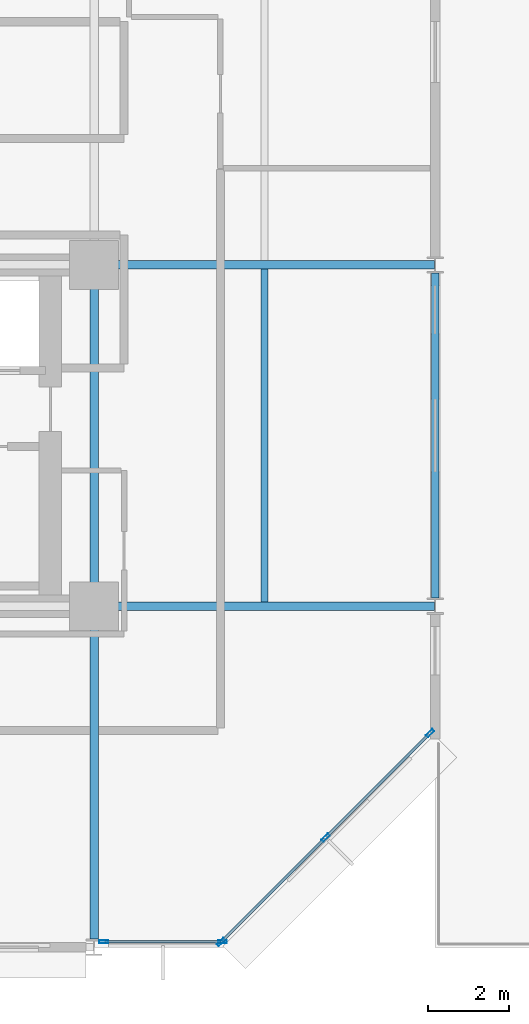
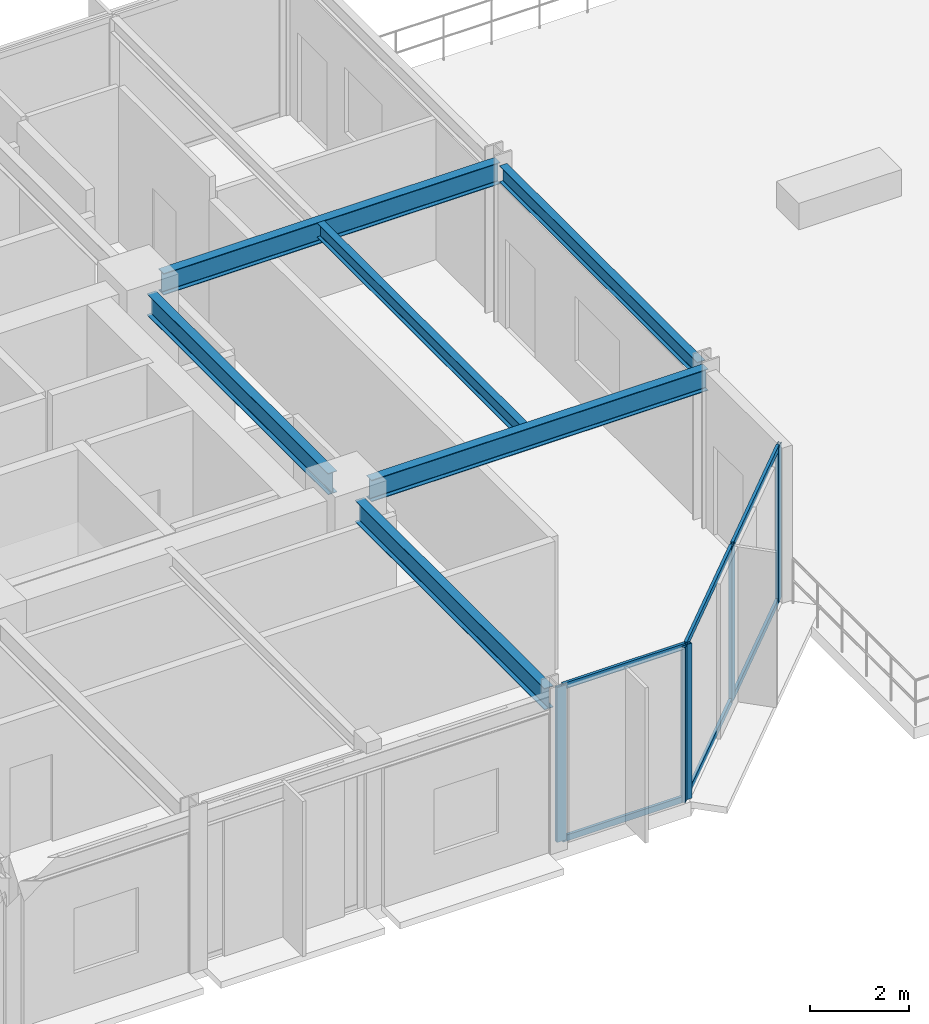
# One storey, part 10 of 25: 11 members, 6 beams, 2 elements without a shape of their own.
"""IFC4 building model written with IfcOpenShell, lengths in metres."""

from ifc_helpers import new_model, si_unit, direction, frame, origin, origin_2d, place, context, subcontext, project, spatial, hollow_rectangle, i_section, extrude, material, layer, layer_set, material_profile, profile_set, type_object, element, aggregate, save


model = new_model("IFC4")

# Units and contexts
model_context = context("Model", 3, precision=1e-05, world=origin(), true_north=direction((0.0, 1.0)))
body_context = subcontext(model_context, "Body", "Model", "MODEL_VIEW")
ifc_project = project(units=[si_unit("LENGTHUNIT", "METRE"), si_unit("AREAUNIT", "SQUARE_METRE"), si_unit("VOLUMEUNIT", "CUBIC_METRE"), si_unit("PLANEANGLEUNIT", "RADIAN"), si_unit("MASSUNIT", "GRAM", prefix="KILO")], contexts=[model_context])

# Site, building, storey
site_placement = place(None, origin())
site = spatial("IfcSite", under=ifc_project, at=site_placement, CompositionType="ELEMENT")
building_placement = place(site_placement, origin())
building = spatial("IfcBuilding", under=site, at=building_placement, Name="Nerrivon Quay Data Exchange", CompositionType="ELEMENT")
storey_placement = place(building_placement, frame((0.0, 0.0, 113.10009765625)))
storey = spatial("IfcBuildingStorey", under=building, at=storey_placement, Name="L26", CompositionType="ELEMENT", Elevation=113.10009765625)

# Beams
ifc_material_1 = material(Name="Steel Grade 350", Category="steel")
ifc_material_profile_1 = material_profile(ifc_material_1, i_section(OverallWidth=0.208984375, OverallDepth=0.532958984375, WebThickness=0.01025390625, FlangeThickness=0.015625, FilletRadius=0.013916015625, at=origin_2d()), Name="530UB92.4")
ifc_profile_set_1 = profile_set([ifc_material_profile_1], Name="Steel Grade 350")
beam_type_1 = type_object("IfcBeamType", Name="BM-G3-530UB92", PredefinedType="BEAM", material=ifc_profile_set_1)
for number, where, z_axis, x_axis, name in (
    (1, (34.139892578125, 8.39990234375, 3.558349609375), (1.0, 0.0, 0.0), (0.0, 1.0, 0.0), "L26 EW Girder Y=8.4 (33.6..42.0)"),
    (2, (34.139892578125, 16.800048828125, 3.558349609375), (1.0, 0.0, 0.0), (0.0, 1.0, 0.0), "L26 EW Girder Y=16.8 (33.6..42.0)"),
):
    element("IfcBeam", number, at=place(storey_placement, frame(where, z_axis=z_axis, x_axis=x_axis)), inside=storey, type_object=beam_type_1, Name=name, PredefinedType="BEAM", context=body_context, shape_type="SweptSolid", body=[
        extrude(i_section(OverallWidth=0.208984375, OverallDepth=0.532958984375, WebThickness=0.01025390625, FlangeThickness=0.015625, FilletRadius=0.013916015625, at=origin_2d()), origin(), (0.0, 0.0, 1.0), 7.84765625),
    ])
ifc_material_profile_2 = material_profile(ifc_material_1, i_section(OverallWidth=0.208984375, OverallDepth=0.528076171875, WebThickness=0.009521484375, FlangeThickness=0.01318359375, FilletRadius=0.013916015625, at=origin_2d()), Name="530UB82.0")
ifc_profile_set_2 = profile_set([ifc_material_profile_2], Name="Steel Grade 350")
beam_type_2 = type_object("IfcBeamType", Name="BM-G4-530UB82", PredefinedType="BEAM", material=ifc_profile_set_2)
beam_1_placement = place(storey_placement, frame((33.60009765625, 0.199951171875, 3.560791015625), z_axis=(0.0, 1.0, 0.0), x_axis=(-1.0, 0.0, 0.0)))
element("IfcBeam", 3, at=beam_1_placement, inside=storey, type_object=beam_type_2, Name="L26 NS Girder X=33.6 (0.0..8.4)", PredefinedType="BEAM", context=body_context, shape_type="SweptSolid", body=[
    extrude(i_section(OverallWidth=0.208984375, OverallDepth=0.528076171875, WebThickness=0.009521484375, FlangeThickness=0.01318359375, FilletRadius=0.013916015625, at=origin_2d()), origin(), (0.0, 0.0, 1.0), 7.66015625),
])
beam_2_placement = place(storey_placement, frame((33.60009765625, 8.93994140625, 3.560791015625), z_axis=(0.0, 1.0, 0.0), x_axis=(-1.0, 0.0, 0.0)))
element("IfcBeam", 4, at=beam_2_placement, inside=storey, type_object=beam_type_2, Name="L26 NS Girder X=33.6 (8.4..16.8)", PredefinedType="BEAM", context=body_context, shape_type="SweptSolid", body=[
    extrude(i_section(OverallWidth=0.208984375, OverallDepth=0.528076171875, WebThickness=0.009521484375, FlangeThickness=0.01318359375, FilletRadius=0.013916015625, at=origin_2d()), origin(), (0.0, 0.0, 1.0), 7.320068359375),
])
ifc_material_profile_3 = material_profile(ifc_material_1, i_section(OverallWidth=0.1708984375, OverallDepth=0.35595703125, WebThickness=0.00732421875, FlangeThickness=0.011474609375, FilletRadius=0.011474609375, at=origin_2d()), Name="360UB50.7")
ifc_profile_set_3 = profile_set([ifc_material_profile_3], Name="Steel Grade 350")
beam_type_3 = type_object("IfcBeamType", Name="BM-J4-360UB51", PredefinedType="JOIST", material=ifc_profile_set_3)
beam_3_placement = place(storey_placement, frame((37.800048828125, 8.50439453125, 3.64697265625), z_axis=(0.0, 1.0, 0.0), x_axis=(-1.0, 0.0, 0.0)))
element("IfcBeam", 5, at=beam_3_placement, inside=storey, type_object=beam_type_3, Name="L26 Secondary Joist X=37.8 (8.4..16.8)", PredefinedType="JOIST", context=body_context, shape_type="SweptSolid", body=[
    extrude(i_section(OverallWidth=0.1708984375, OverallDepth=0.35595703125, WebThickness=0.00732421875, FlangeThickness=0.011474609375, FilletRadius=0.011474609375, at=origin_2d()), origin(), (0.0, 0.0, 1.0), 8.191162109375),
])
ifc_material_profile_4 = material_profile(ifc_material_1, i_section(OverallWidth=0.177978515625, OverallDepth=0.403076171875, WebThickness=0.007568359375, FlangeThickness=0.010986328125, FilletRadius=0.011474609375, at=origin_2d()), Name="410UB53.7")
ifc_profile_set_4 = profile_set([ifc_material_profile_4], Name="Steel Grade 350")
beam_type_4 = type_object("IfcBeamType", Name="BM-SP2-410UB54", PredefinedType="SPANDREL", material=ifc_profile_set_4)
beam_4_placement = place(storey_placement, frame((42.0, 8.60009765625, 3.623291015625), z_axis=(0.0, 1.0, 0.0), x_axis=(-1.0, 0.0, 0.0)))
element("IfcBeam", 6, at=beam_4_placement, inside=storey, type_object=beam_type_4, Name="L26 NS Girder X=42.0 (8.4..16.8)", PredefinedType="SPANDREL", context=body_context, shape_type="SweptSolid", body=[
    extrude(i_section(OverallWidth=0.177978515625, OverallDepth=0.403076171875, WebThickness=0.007568359375, FlangeThickness=0.010986328125, FilletRadius=0.011474609375, at=origin_2d()), origin(), (0.0, 0.0, 1.0), 8.0),
])

# Curtain wall, members
ifc_material_2 = material(Name="Anodised aluminium 6063-T6", Category="aluminium")
ifc_layer = layer(ifc_material_2, 0.22998046875)
ifc_layer_set = layer_set([ifc_layer], Name="Anodised aluminium 6063-T6")
curtain_wall_type = type_object("IfcCurtainWallType", Name="CW-SYS-05", PredefinedType="NOTDEFINED", material=ifc_layer_set)
curtain_wall_1_placement = place(storey_placement, origin())
curtain_wall_1 = element("IfcCurtainWall", 7, at=curtain_wall_1_placement, inside=storey, type_object=curtain_wall_type, Name="L26 Unitised Curtain Wall 1", PredefinedType="NOTDEFINED")
ifc_material_profile_5 = material_profile(ifc_material_2, hollow_rectangle(XDim=0.074951171875, YDim=0.219970703125, WallThickness=0.00390625, at=origin_2d()), Name="ALU-MULL-220x75")
ifc_profile_set_5 = profile_set([ifc_material_profile_5], Name="Anodised aluminium 6063-T6")
member_type_1 = type_object("IfcMemberType", Name="CWM-220x75", PredefinedType="MULLION", material=ifc_profile_set_5)
member_1_placement = place(storey_placement, frame((41.87451171875, 5.2724609375, 0.0), z_axis=(0.0, 0.0, 1.0), x_axis=(0.707106781187, -0.707106781187, 0.0)))
member_1 = element("IfcMember", 8, at=member_1_placement, type_object=member_type_1, Name="CW05 mullion 1", PredefinedType="MULLION", context=body_context, shape_type="SweptSolid", body=[
    extrude(hollow_rectangle(XDim=0.074951171875, YDim=0.219970703125, WallThickness=0.00390625, at=origin_2d()), origin(), (0.0, 0.0, 1.0), 3.824951171875),
])
member_2_placement = place(storey_placement, frame((39.301025390625, 2.698974609375, 0.0), z_axis=(0.0, 0.0, 1.0), x_axis=(0.707106781187, -0.707106781187, 0.0)))
member_2 = element("IfcMember", 9, at=member_2_placement, type_object=member_type_1, Name="CW05 mullion 2", PredefinedType="MULLION", context=body_context, shape_type="SweptSolid", body=[
    extrude(hollow_rectangle(XDim=0.074951171875, YDim=0.219970703125, WallThickness=0.00390625, at=origin_2d()), origin(), (0.0, 0.0, 1.0), 3.824951171875),
])
member_3_placement = place(storey_placement, frame((36.7275390625, 0.12548828125, 0.0), z_axis=(0.0, 0.0, 1.0), x_axis=(0.707106781187, -0.707106781187, 0.0)))
member_3 = element("IfcMember", 10, at=member_3_placement, type_object=member_type_1, Name="CW05 mullion 3", PredefinedType="MULLION", context=body_context, shape_type="SweptSolid", body=[
    extrude(hollow_rectangle(XDim=0.074951171875, YDim=0.219970703125, WallThickness=0.00390625, at=origin_2d()), origin(), (0.0, 0.0, 1.0), 3.824951171875),
])

curtain_wall_2_placement = place(storey_placement, origin())
curtain_wall_2 = element("IfcCurtainWall", 11, at=curtain_wall_2_placement, inside=storey, type_object=curtain_wall_type, Name="L26 Unitised Curtain Wall 2", PredefinedType="NOTDEFINED")
member_4_placement = place(storey_placement, frame((36.762451171875, 0.139892578125, 0.0), z_axis=(0.0, 0.0, 1.0), x_axis=(0.0, -1.0, 0.0)))
member_4 = element("IfcMember", 12, at=member_4_placement, type_object=member_type_1, Name="CW05 mullion 1", PredefinedType="MULLION", context=body_context, shape_type="SweptSolid", body=[
    extrude(hollow_rectangle(XDim=0.074951171875, YDim=0.219970703125, WallThickness=0.00390625, at=origin_2d()), origin(), (0.0, 0.0, 1.0), 3.824951171875),
])
member_5_placement = place(storey_placement, frame((33.83740234375, 0.139892578125, 0.0), z_axis=(0.0, 0.0, 1.0), x_axis=(0.0, -1.0, 0.0)))
member_5 = element("IfcMember", 13, at=member_5_placement, type_object=member_type_1, Name="CW05 mullion 2", PredefinedType="MULLION", context=body_context, shape_type="SweptSolid", body=[
    extrude(hollow_rectangle(XDim=0.074951171875, YDim=0.219970703125, WallThickness=0.00390625, at=origin_2d()), origin(), (0.0, 0.0, 1.0), 3.824951171875),
])

# Member
ifc_material_profile_6 = material_profile(ifc_material_2, hollow_rectangle(XDim=0.06494140625, YDim=0.14990234375, WallThickness=0.00341796875, at=origin_2d()), Name="ALU-TRAN-150x65")
ifc_profile_set_6 = profile_set([ifc_material_profile_6], Name="Anodised aluminium 6063-T6")
member_type_2 = type_object("IfcMemberType", Name="CWT-150x65", PredefinedType="USERDEFINED", material=ifc_profile_set_6)
member_6_placement = place(storey_placement, frame((41.847900390625, 5.245849609375, 0.032470703125), z_axis=(-0.707106781187, -0.707106781187, 0.0), x_axis=(0.707106781187, -0.707106781187, 0.0)))
member_6 = element("IfcMember", 14, at=member_6_placement, type_object=member_type_2, Name="CW05 transom 1.1", ObjectType="TRANSOM", PredefinedType="USERDEFINED", context=body_context, shape_type="SweptSolid", body=[
    extrude(hollow_rectangle(XDim=0.06494140625, YDim=0.14990234375, WallThickness=0.00341796875, at=origin_2d()), origin(), (0.0, 0.0, 1.0), 3.564208984375),
])

member_7_placement = place(storey_placement, frame((41.847900390625, 5.245849609375, 3.79248046875), z_axis=(-0.707106781187, -0.707106781187, 0.0), x_axis=(0.707106781187, -0.707106781187, 0.0)))
member_7 = element("IfcMember", 15, at=member_7_placement, type_object=member_type_2, Name="CW05 transom 1.2", ObjectType="TRANSOM", PredefinedType="USERDEFINED", context=body_context, shape_type="SweptSolid", body=[
    extrude(hollow_rectangle(XDim=0.06494140625, YDim=0.14990234375, WallThickness=0.00341796875, at=origin_2d()), origin(), (0.0, 0.0, 1.0), 3.564208984375),
])

member_8_placement = place(storey_placement, frame((39.2744140625, 2.67236328125, 0.032470703125), z_axis=(-0.707106781187, -0.707106781187, 0.0), x_axis=(0.707106781187, -0.707106781187, 0.0)))
member_8 = element("IfcMember", 16, at=member_8_placement, type_object=member_type_2, Name="CW05 transom 2.1", ObjectType="TRANSOM", PredefinedType="USERDEFINED", context=body_context, shape_type="SweptSolid", body=[
    extrude(hollow_rectangle(XDim=0.06494140625, YDim=0.14990234375, WallThickness=0.00341796875, at=origin_2d()), origin(), (0.0, 0.0, 1.0), 3.564208984375),
])

member_9_placement = place(storey_placement, frame((39.2744140625, 2.67236328125, 3.79248046875), z_axis=(-0.707106781187, -0.707106781187, 0.0), x_axis=(0.707106781187, -0.707106781187, 0.0)))
member_9 = element("IfcMember", 17, at=member_9_placement, type_object=member_type_2, Name="CW05 transom 2.2", ObjectType="TRANSOM", PredefinedType="USERDEFINED", context=body_context, shape_type="SweptSolid", body=[
    extrude(hollow_rectangle(XDim=0.06494140625, YDim=0.14990234375, WallThickness=0.00341796875, at=origin_2d()), origin(), (0.0, 0.0, 1.0), 3.564208984375),
])

aggregate(curtain_wall_1, [member_1, member_2, member_3, member_6, member_7, member_8, member_9])

member_10_placement = place(storey_placement, frame((36.72509765625, 0.139892578125, 0.032470703125), z_axis=(-1.0, 0.0, 0.0), x_axis=(0.0, -1.0, 0.0)))
member_10 = element("IfcMember", 18, at=member_10_placement, type_object=member_type_2, Name="CW05 transom 1.1", ObjectType="TRANSOM", PredefinedType="USERDEFINED", context=body_context, shape_type="SweptSolid", body=[
    extrude(hollow_rectangle(XDim=0.06494140625, YDim=0.14990234375, WallThickness=0.00341796875, at=origin_2d()), origin(), (0.0, 0.0, 1.0), 2.85009765625),
])

member_11_placement = place(storey_placement, frame((36.72509765625, 0.139892578125, 3.79248046875), z_axis=(-1.0, 0.0, 0.0), x_axis=(0.0, -1.0, 0.0)))
member_11 = element("IfcMember", 19, at=member_11_placement, type_object=member_type_2, Name="CW05 transom 1.2", ObjectType="TRANSOM", PredefinedType="USERDEFINED", context=body_context, shape_type="SweptSolid", body=[
    extrude(hollow_rectangle(XDim=0.06494140625, YDim=0.14990234375, WallThickness=0.00341796875, at=origin_2d()), origin(), (0.0, 0.0, 1.0), 2.85009765625),
])

aggregate(curtain_wall_2, [member_4, member_5, member_10, member_11])

save(model, "model.ifc")
